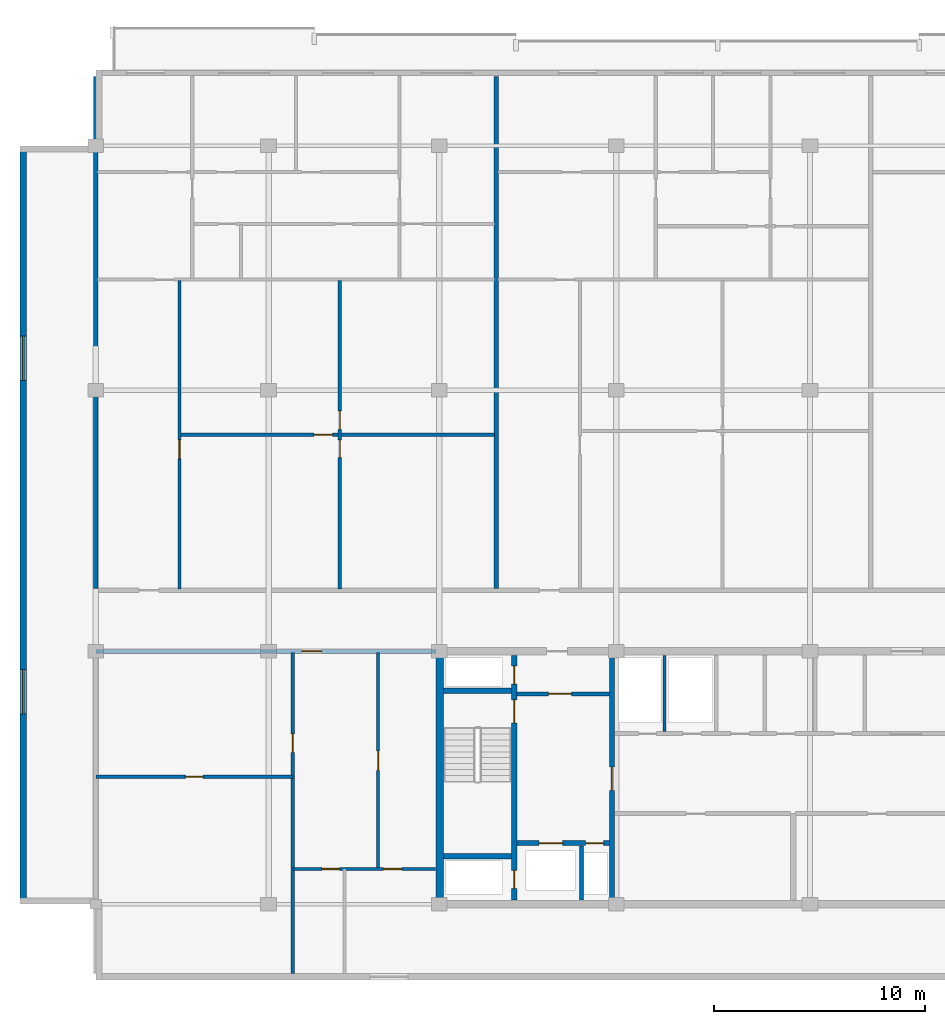
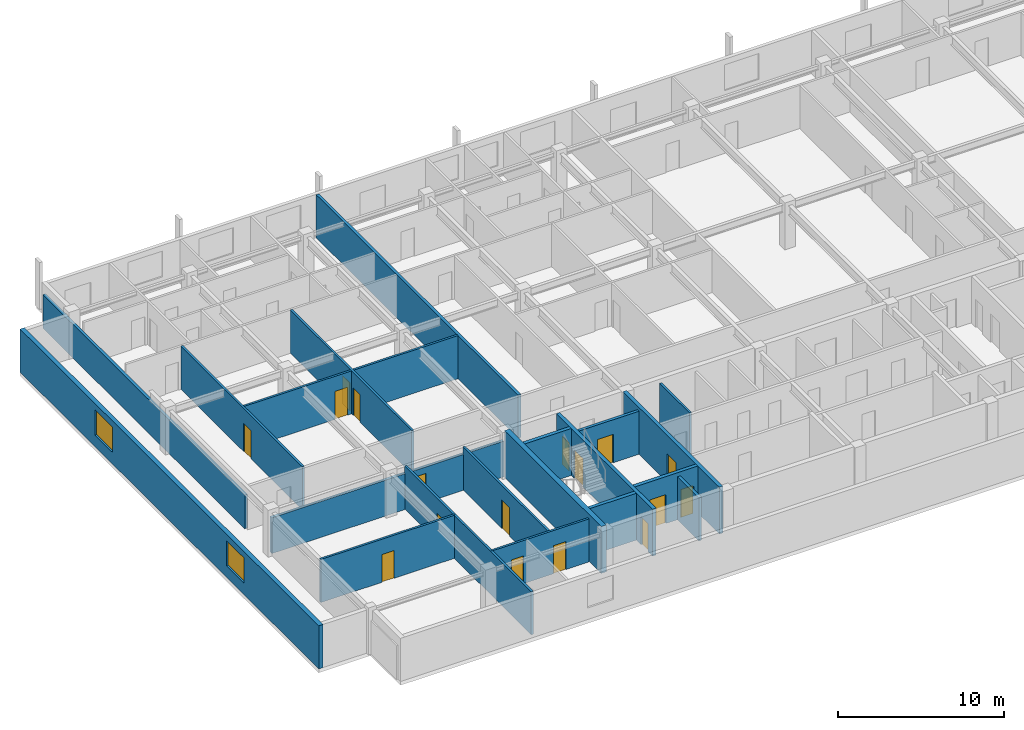
# One storey, part 3 of 11: 20 walls, 17 doors, 2 windows, 19 openings.
"""IFC4 building model written with IfcOpenShell, lengths in metres."""

from ifc_helpers import new_model, si_unit, direction, frame, frame_2d, origin, place, context, subcontext, project, spatial, rectangle, extrude, material, layer, layer_set, type_object, element, fill, save


model = new_model("IFC4")

# Units and contexts
model_context = context("Model", 3, precision=1e-05, world=origin(), true_north=direction((0.0, 1.0)))
body_context = subcontext(model_context, "Body", "Model", "MODEL_VIEW")
ifc_project = project(units=[si_unit("LENGTHUNIT", "METRE"), si_unit("AREAUNIT", "SQUARE_METRE"), si_unit("VOLUMEUNIT", "CUBIC_METRE"), si_unit("PLANEANGLEUNIT", "RADIAN"), si_unit("MASSUNIT", "GRAM", prefix="KILO")], contexts=[model_context])

# Site, building, storey
site_placement = place(None, origin())
site = spatial("IfcSite", under=ifc_project, at=site_placement, CompositionType="ELEMENT")
building_placement = place(site_placement, origin())
building = spatial("IfcBuilding", under=site, at=building_placement, Name="Korimba Cascade Residences", CompositionType="ELEMENT")
storey_placement = place(building_placement, frame((0.0, 0.0, 252.800048828125)))
storey = spatial("IfcBuildingStorey", under=building, at=storey_placement, Name="L73", CompositionType="ELEMENT", Elevation=252.800048828125)

# Wall, openings, windows
ifc_material_1 = material(Name="Precast concrete C40/50", Category="concrete")
ifc_layer_1 = layer(ifc_material_1, 0.300048828125)
ifc_layer_set_1 = layer_set([ifc_layer_1], Name="Precast concrete C40/50")
wall_type_1 = type_object("IfcWallType", Name="EW-STONE-300", PredefinedType="STANDARD", material=ifc_layer_set_1)
wall_1_placement = place(storey_placement, frame((56.35009765625, 91.199951171875, 0.0), z_axis=(0.0, 0.0, 1.0), x_axis=(0.0, -1.0, 0.0)))
wall_1 = element("IfcWall", 1, at=wall_1_placement, inside=storey, type_object=wall_type_1, Name="L73 T1 Perimeter Stone Wall E09", PredefinedType="STANDARD", context=body_context, shape_type="SweptSolid", body=[
    extrude(rectangle(XDim=36.0, YDim=0.300048828125, at=frame_2d((18.0, 0.0))), origin(), (0.0, 0.0, 1.0), 3.169921875),
])
opening_1_placement = place(wall_1_placement, frame((9.030029296875, 0.0, 0.85009765625)))
opening_1 = element("IfcOpeningElement", 2, at=opening_1_placement, cuts=wall_1, Name="Opening W-03", PredefinedType="OPENING", context=body_context, shape_type="SweptSolid", body=[
    extrude(rectangle(XDim=2.10009765625, YDim=1.85009765625, at=frame_2d((1.050048828125, 0.925048828125))), frame((0.0, 0.16015625, 0.0), z_axis=(0.0, -1.0, 0.0), x_axis=(1.0, 0.0, 0.0)), (0.0, 0.0, 1.0), 0.320068359375),
])
opening_2_placement = place(wall_1_placement, frame((24.8701171875, 0.0, 0.85009765625)))
opening_2 = element("IfcOpeningElement", 3, at=opening_2_placement, cuts=wall_1, Name="Opening W-03", PredefinedType="OPENING", context=body_context, shape_type="SweptSolid", body=[
    extrude(rectangle(XDim=2.10009765625, YDim=1.85009765625, at=frame_2d((1.050048828125, 0.925048828125))), frame((0.0, 0.16015625, 0.0), z_axis=(0.0, -1.0, 0.0), x_axis=(1.0, 0.0, 0.0)), (0.0, 0.0, 1.0), 0.320068359375),
])
ifc_material_2 = material(Name="Double-Glazed Aluminium Window", Category="aluminium")
window_type = type_object("IfcWindowType", Name="WIN-CRN-2100", PartitioningType="DOUBLE_PANEL_HORIZONTAL", PredefinedType="WINDOW", material=ifc_material_2)
window_1_placement = place(opening_1_placement, origin())
window_1 = element("IfcWindow", 4, at=window_1_placement, inside=storey, type_object=window_type, Name="L73 T1 End View Window 9.1", OverallHeight=1.85009765625, OverallWidth=2.10009765625, PartitioningType="DOUBLE_PANEL_HORIZONTAL", PredefinedType="WINDOW", context=body_context, shape_type="SweptSolid", body=[
    extrude(rectangle(XDim=2.10009765625, YDim=1.85009765625, at=frame_2d((1.050048828125, 0.925048828125))), frame((0.0, 0.030029296875, 0.0), z_axis=(0.0, -1.0, 0.0), x_axis=(1.0, 0.0, 0.0)), (0.0, 0.0, 1.0), 0.06005859375),
])
fill(opening_1, window_1)
window_2_placement = place(opening_2_placement, origin())
window_2 = element("IfcWindow", 5, at=window_2_placement, inside=storey, type_object=window_type, Name="L73 T1 End View Window 9.2", OverallHeight=1.85009765625, OverallWidth=2.10009765625, PartitioningType="DOUBLE_PANEL_HORIZONTAL", PredefinedType="WINDOW", context=body_context, shape_type="SweptSolid", body=[
    extrude(rectangle(XDim=2.10009765625, YDim=1.85009765625, at=frame_2d((1.050048828125, 0.925048828125))), frame((0.0, 0.030029296875, 0.0), z_axis=(0.0, -1.0, 0.0), x_axis=(1.0, 0.0, 0.0)), (0.0, 0.0, 1.0), 0.06005859375),
])
fill(opening_2, window_2)

# Wall
ifc_material_3 = material(Name="Concrete C65/80", Category="concrete")
ifc_layer_2 = layer(ifc_material_3, 0.35009765625)
ifc_layer_set_2 = layer_set([ifc_layer_2], Name="Concrete C65/80")
wall_type_2 = type_object("IfcWallType", Name="WAL-CORE-350", PredefinedType="SHEAR", material=ifc_layer_set_2)
wall_2_placement = place(storey_placement, frame((76.125, 55.375, 0.0), z_axis=(0.0, 0.0, 1.0), x_axis=(0.0, 1.0, 0.0)))
element("IfcWall", 6, at=wall_2_placement, inside=storey, type_object=wall_type_2, Name="L73 Core Shear Wall CW-L73-T1-W", PredefinedType="SHEAR", context=body_context, shape_type="SweptSolid", body=[
    extrude(rectangle(XDim=11.64990234375, YDim=0.35009765625, at=frame_2d((5.824951171875, 0.0))), origin(), (0.0, 0.0, 1.0), 3.449951171875),
])

# Wall, opening, door
ifc_layer_3 = layer(ifc_material_1, 0.199951171875)
ifc_layer_set_3 = layer_set([ifc_layer_3], Name="Precast concrete C40/50")
wall_type_3 = type_object("IfcWallType", Name="WAL-IT-200", PredefinedType="PARTITIONING", material=ifc_layer_set_3)
wall_3_placement = place(storey_placement, frame((59.800048828125, 67.199951171875, 0.0), z_axis=(0.0, 0.0, 1.0), x_axis=(1.0, 0.0, 0.0)))
wall_3 = element("IfcWall", 7, at=wall_3_placement, inside=storey, type_object=wall_type_3, Name="L73 Partition Wall WAL-L73-T1-FW-N", PredefinedType="PARTITIONING", context=body_context, shape_type="SweptSolid", body=[
    extrude(rectangle(XDim=16.14990234375, YDim=0.199951171875, at=frame_2d((8.074951171875, 0.0))), origin(), (0.0, 0.0, 1.0), 2.63330078125),
])
opening_3_placement = place(wall_3_placement, frame((9.7724609375, 0.0, 0.0)))
opening_3 = element("IfcOpeningElement", 8, at=opening_3_placement, cuts=wall_3, Name="Opening D-UN1", PredefinedType="OPENING", context=body_context, shape_type="SweptSolid", body=[
    extrude(rectangle(XDim=0.949951171875, YDim=2.14990234375, at=frame_2d((0.47509765625, 1.074951171875))), frame((0.0, 0.10986328125, 0.0), z_axis=(0.0, -1.0, 0.0), x_axis=(1.0, 0.0, 0.0)), (0.0, 0.0, 1.0), 0.219970703125),
])
ifc_material_4 = material(Name="Fire-Rated Hardwood Apartment Entrance Door", Category="wood")
door_type_1 = type_object("IfcDoorType", Name="DR-FD60-950", OperationType="NOTDEFINED", PredefinedType="DOOR", material=ifc_material_4)
door_1_placement = place(opening_3_placement, origin())
door_1 = element("IfcDoor", 9, at=door_1_placement, inside=storey, type_object=door_type_1, Name="L73-T1-FW Entrance Door", OperationType="SINGLE_SWING_RIGHT", OverallHeight=2.14990234375, OverallWidth=0.949951171875, PredefinedType="DOOR", context=body_context, shape_type="SweptSolid", body=[
    extrude(rectangle(XDim=0.949951171875, YDim=2.14990234375, at=frame_2d((0.47509765625, 1.074951171875))), frame((0.0, 0.02490234375, 0.0), z_axis=(0.0, -1.0, 0.0), x_axis=(1.0, 0.0, 0.0)), (0.0, 0.0, 1.0), 0.050048828125),
])
fill(opening_3, door_1)

# Walls
wall_4_placement = place(storey_placement, frame((59.800048828125, 70.179931640625, 0.0), z_axis=(0.0, 0.0, 1.0), x_axis=(0.0, 1.0, 0.0)))
element("IfcWall", 10, at=wall_4_placement, inside=storey, type_object=wall_type_3, Name="L73 Partition Wall WAL-L73-T1-BNDWL", PredefinedType="PARTITIONING", context=body_context, shape_type="SweptSolid", body=[
    extrude(rectangle(XDim=24.320068359375, YDim=0.199951171875, at=frame_2d((12.16015625, 0.0))), origin(), (0.0, 0.0, 1.0), 2.47705078125),
])
wall_5_placement = place(storey_placement, frame((78.80908203125, 70.179931640625, 0.0), z_axis=(0.0, 0.0, 1.0), x_axis=(0.0, 1.0, 0.0)))
element("IfcWall", 11, at=wall_5_placement, inside=storey, type_object=wall_type_3, Name="L73 Partition Wall WAL-L73-T1-DEM-1", PredefinedType="PARTITIONING", context=body_context, shape_type="SweptSolid", body=[
    extrude(rectangle(XDim=24.320068359375, YDim=0.199951171875, at=frame_2d((12.16015625, 0.0))), origin(), (0.0, 0.0, 1.0), 3.169921875),
])
ifc_material_5 = material(Name="Insulated Acoustic Stud Partition", Category="gypsum")
ifc_layer_4 = layer(ifc_material_5, 0.14990234375)
ifc_layer_set_4 = layer_set([ifc_layer_4], Name="Insulated Acoustic Stud Partition")
wall_type_4 = type_object("IfcWallType", Name="WAL-PART-150", PredefinedType="PARTITIONING", material=ifc_layer_set_4)
wall_6_placement = place(storey_placement, frame((86.800048828125, 63.39990234375, 0.0), z_axis=(0.0, 0.0, 1.0), x_axis=(0.0, 1.0, 0.0)))
element("IfcWall", 12, at=wall_6_placement, inside=storey, type_object=wall_type_4, Name="L73 Partition Wall CW-L73-T1-ERDIV", PredefinedType="PARTITIONING", context=body_context, shape_type="SweptSolid", body=[
    extrude(rectangle(XDim=3.60009765625, YDim=0.14990234375, at=frame_2d((1.800048828125, 0.0))), origin(), (0.0, 0.0, 1.0), 3.169921875),
])

# Wall, opening, door
wall_7_placement = place(storey_placement, frame((59.800048828125, 61.25, 0.0), z_axis=(0.0, 0.0, 1.0), x_axis=(1.0, 0.0, 0.0)))
wall_7 = element("IfcWall", 13, at=wall_7_placement, inside=storey, type_object=wall_type_4, Name="L73 Partition Wall WAL-L73-T1-FW-STH", PredefinedType="PARTITIONING", context=body_context, shape_type="SweptSolid", body=[
    extrude(rectangle(XDim=9.349853515625, YDim=0.14990234375, at=frame_2d((4.6748046875, 0.0))), origin(), (0.0, 0.0, 1.0), 3.169921875),
])
opening_4_placement = place(wall_7_placement, frame((4.2548828125, 0.0, 0.0)))
opening_4 = element("IfcOpeningElement", 14, at=opening_4_placement, cuts=wall_7, Name="Opening D-BT1", PredefinedType="OPENING", context=body_context, shape_type="SweptSolid", body=[
    extrude(rectangle(XDim=0.840087890625, YDim=2.0400390625, at=frame_2d((0.419921875, 1.02001953125))), frame((0.0, 0.0849609375, 0.0), z_axis=(0.0, -1.0, 0.0), x_axis=(1.0, 0.0, 0.0)), (0.0, 0.0, 1.0), 0.169921875),
])
ifc_material_6 = material(Name="Moisture-Resistant Bathroom Timber Door", Category="wood")
door_type_2 = type_object("IfcDoorType", Name="DR-INT-850", OperationType="NOTDEFINED", PredefinedType="DOOR", material=ifc_material_6)
door_2_placement = place(opening_4_placement, origin())
door_2 = element("IfcDoor", 15, at=door_2_placement, inside=storey, type_object=door_type_2, Name="L73-T1-FW Dressing Store Door", OperationType="SINGLE_SWING_LEFT", OverallHeight=2.0400390625, OverallWidth=0.840087890625, PredefinedType="DOOR", context=body_context, shape_type="SweptSolid", body=[
    extrude(rectangle(XDim=0.840087890625, YDim=2.0400390625, at=frame_2d((0.419921875, 1.02001953125))), frame((0.0, 0.02490234375, 0.0), z_axis=(0.0, -1.0, 0.0), x_axis=(1.0, 0.0, 0.0)), (0.0, 0.0, 1.0), 0.050048828125),
])
fill(opening_4, door_2)

wall_8_placement = place(storey_placement, frame((69.14990234375, 51.89990234375, 0.0), z_axis=(0.0, 0.0, 1.0), x_axis=(0.0, 1.0, 0.0)))
wall_8 = element("IfcWall", 16, at=wall_8_placement, inside=storey, type_object=wall_type_4, Name="L73 Partition Wall WAL-L73-T1-FW-STV", PredefinedType="PARTITIONING", context=body_context, shape_type="SweptSolid", body=[
    extrude(rectangle(XDim=15.25, YDim=0.14990234375, at=frame_2d((7.625, 0.0))), origin(), (0.0, 0.0, 1.0), 3.169921875),
])
opening_5_placement = place(wall_8_placement, frame((10.5, 0.0, 0.0)))
opening_5 = element("IfcOpeningElement", 17, at=opening_5_placement, cuts=wall_8, Name="Opening D-IN2", PredefinedType="OPENING", context=body_context, shape_type="SweptSolid", body=[
    extrude(rectangle(XDim=0.8798828125, YDim=2.06005859375, at=frame_2d((0.43994140625, 1.030029296875))), frame((0.0, 0.0849609375, 0.0), z_axis=(0.0, -1.0, 0.0), x_axis=(1.0, 0.0, 0.0)), (0.0, 0.0, 1.0), 0.169921875),
])
ifc_material_7 = material(Name="Acoustic Timber Bedroom Door", Category="wood")
door_type_3 = type_object("IfcDoorType", Name="DR-INT-880", OperationType="NOTDEFINED", PredefinedType="DOOR", material=ifc_material_7)
door_3_placement = place(opening_5_placement, origin())
door_3 = element("IfcDoor", 18, at=door_3_placement, inside=storey, type_object=door_type_3, Name="L73-T1-FW Study Door", OperationType="SINGLE_SWING_RIGHT", OverallHeight=2.06005859375, OverallWidth=0.8798828125, PredefinedType="DOOR", context=body_context, shape_type="SweptSolid", body=[
    extrude(rectangle(XDim=0.8798828125, YDim=2.06005859375, at=frame_2d((0.43994140625, 1.030029296875))), frame((0.0, 0.02490234375, 0.0), z_axis=(0.0, -1.0, 0.0), x_axis=(1.0, 0.0, 0.0)), (0.0, 0.0, 1.0), 0.050048828125),
])
fill(opening_5, door_3)

wall_9_placement = place(storey_placement, frame((73.199951171875, 56.8701171875, 0.0), z_axis=(0.0, 0.0, 1.0), x_axis=(0.0, 1.0, 0.0)))
wall_9 = element("IfcWall", 19, at=wall_9_placement, inside=storey, type_object=wall_type_4, Name="L73 Partition Wall WAL-L73-T1-FW-VN", PredefinedType="PARTITIONING", context=body_context, shape_type="SweptSolid", body=[
    extrude(rectangle(XDim=10.27978515625, YDim=0.14990234375, at=frame_2d((5.139892578125, 0.0))), origin(), (0.0, 0.0, 1.0), 3.169921875),
])
opening_6_placement = place(wall_9_placement, frame((4.679931640625, 0.0, 0.0)))
opening_6 = element("IfcOpeningElement", 20, at=opening_6_placement, cuts=wall_9, Name="Opening D-IN1", PredefinedType="OPENING", context=body_context, shape_type="SweptSolid", body=[
    extrude(rectangle(XDim=0.919921875, YDim=2.080078125, at=frame_2d((0.4599609375, 1.0400390625))), frame((0.0, 0.0849609375, 0.0), z_axis=(0.0, -1.0, 0.0), x_axis=(1.0, 0.0, 0.0)), (0.0, 0.0, 1.0), 0.169921875),
])
ifc_material_8 = material(Name="Acoustic Timber Living Door", Category="wood")
door_type_4 = type_object("IfcDoorType", Name="DR-INT-920", OperationType="NOTDEFINED", PredefinedType="DOOR", material=ifc_material_8)
door_4_placement = place(opening_6_placement, origin())
door_4 = element("IfcDoor", 21, at=door_4_placement, inside=storey, type_object=door_type_4, Name="L73-T1-FW Living Door", OperationType="SINGLE_SWING_LEFT", OverallHeight=2.080078125, OverallWidth=0.919921875, PredefinedType="DOOR", context=body_context, shape_type="SweptSolid", body=[
    extrude(rectangle(XDim=0.919921875, YDim=2.080078125, at=frame_2d((0.4599609375, 1.0400390625))), frame((0.0, 0.02490234375, 0.0), z_axis=(0.0, -1.0, 0.0), x_axis=(1.0, 0.0, 0.0)), (0.0, 0.0, 1.0), 0.050048828125),
])
fill(opening_6, door_4)

# Wall, openings, doors
wall_10_placement = place(storey_placement, frame((69.169921875, 56.8701171875, 0.0), z_axis=(0.0, 0.0, 1.0), x_axis=(1.0, 0.0, 0.0)))
wall_10 = element("IfcWall", 22, at=wall_10_placement, inside=storey, type_object=wall_type_4, Name="L73 Partition Wall WAL-L73-T1-FW-H", PredefinedType="PARTITIONING", context=body_context, shape_type="SweptSolid", body=[
    extrude(rectangle(XDim=6.760009765625, YDim=0.14990234375, at=frame_2d((3.3798828125, 0.0))), origin(), (0.0, 0.0, 1.0), 3.169921875),
])
opening_7_placement = place(wall_10_placement, frame((1.3623046875, 0.0, 0.0)))
opening_7 = element("IfcOpeningElement", 23, at=opening_7_placement, cuts=wall_10, Name="Opening D-BT1", PredefinedType="OPENING", context=body_context, shape_type="SweptSolid", body=[
    extrude(rectangle(XDim=0.840087890625, YDim=2.0400390625, at=frame_2d((0.419921875, 1.02001953125))), frame((0.0, 0.0849609375, 0.0), z_axis=(0.0, -1.0, 0.0), x_axis=(1.0, 0.0, 0.0)), (0.0, 0.0, 1.0), 0.169921875),
])
opening_8_placement = place(wall_10_placement, frame((4.276611328125, 0.0, 0.0)))
opening_8 = element("IfcOpeningElement", 24, at=opening_8_placement, cuts=wall_10, Name="Opening D-IN2", PredefinedType="OPENING", context=body_context, shape_type="SweptSolid", body=[
    extrude(rectangle(XDim=0.8798828125, YDim=2.06005859375, at=frame_2d((0.43994140625, 1.030029296875))), frame((0.0, 0.0849609375, 0.0), z_axis=(0.0, -1.0, 0.0), x_axis=(1.0, 0.0, 0.0)), (0.0, 0.0, 1.0), 0.169921875),
])
door_5_placement = place(opening_7_placement, origin())
door_5 = element("IfcDoor", 25, at=door_5_placement, inside=storey, type_object=door_type_2, Name="L73-T1-FW Bathroom Door", OperationType="SINGLE_SWING_RIGHT", OverallHeight=2.0400390625, OverallWidth=0.840087890625, PredefinedType="DOOR", context=body_context, shape_type="SweptSolid", body=[
    extrude(rectangle(XDim=0.840087890625, YDim=2.0400390625, at=frame_2d((0.419921875, 1.02001953125))), frame((0.0, 0.02490234375, 0.0), z_axis=(0.0, -1.0, 0.0), x_axis=(1.0, 0.0, 0.0)), (0.0, 0.0, 1.0), 0.050048828125),
])
fill(opening_7, door_5)
door_6_placement = place(opening_8_placement, origin())
door_6 = element("IfcDoor", 26, at=door_6_placement, inside=storey, type_object=door_type_3, Name="L73-T1-FW Bedroom Door", OperationType="SINGLE_SWING_LEFT", OverallHeight=2.06005859375, OverallWidth=0.8798828125, PredefinedType="DOOR", context=body_context, shape_type="SweptSolid", body=[
    extrude(rectangle(XDim=0.8798828125, YDim=2.06005859375, at=frame_2d((0.43994140625, 1.030029296875))), frame((0.0, 0.02490234375, 0.0), z_axis=(0.0, -1.0, 0.0), x_axis=(1.0, 0.0, 0.0)), (0.0, 0.0, 1.0), 0.050048828125),
])
fill(opening_8, door_6)

wall_11_placement = place(storey_placement, frame((71.37939453125, 70.159912109375, 0.0), z_axis=(0.0, 0.0, 1.0), x_axis=(0.0, 1.0, 0.0)))
wall_11 = element("IfcWall", 27, at=wall_11_placement, inside=storey, type_object=wall_type_4, Name="L73 Partition Wall WAL-L73-T1-U01-FMV", PredefinedType="PARTITIONING", context=body_context, shape_type="SweptSolid", body=[
    extrude(rectangle(XDim=14.650146484375, YDim=0.14990234375, at=frame_2d((7.3251953125, 0.0))), origin(), (0.0, 0.0, 1.0), 3.169921875),
])
opening_9_placement = place(wall_11_placement, frame((6.235107421875, 0.0, 0.0)))
opening_9 = element("IfcOpeningElement", 28, at=opening_9_placement, cuts=wall_11, Name="Opening D-BT1", PredefinedType="OPENING", context=body_context, shape_type="SweptSolid", body=[
    extrude(rectangle(XDim=0.840087890625, YDim=2.0400390625, at=frame_2d((0.419921875, 1.02001953125))), frame((0.0, 0.0849609375, 0.0), z_axis=(0.0, -1.0, 0.0), x_axis=(1.0, 0.0, 0.0)), (0.0, 0.0, 1.0), 0.169921875),
])
opening_10_placement = place(wall_11_placement, frame((7.574951171875, 0.0, 0.0)))
opening_10 = element("IfcOpeningElement", 29, at=opening_10_placement, cuts=wall_11, Name="Opening D-IN2", PredefinedType="OPENING", context=body_context, shape_type="SweptSolid", body=[
    extrude(rectangle(XDim=0.8798828125, YDim=2.06005859375, at=frame_2d((0.43994140625, 1.030029296875))), frame((0.0, 0.0849609375, 0.0), z_axis=(0.0, -1.0, 0.0), x_axis=(1.0, 0.0, 0.0)), (0.0, 0.0, 1.0), 0.169921875),
])
door_7_placement = place(opening_9_placement, origin())
door_7 = element("IfcDoor", 30, at=door_7_placement, inside=storey, type_object=door_type_2, Name="L73-T1-U01 Wardrobe Door", OperationType="SINGLE_SWING_LEFT", OverallHeight=2.0400390625, OverallWidth=0.840087890625, PredefinedType="DOOR", context=body_context, shape_type="SweptSolid", body=[
    extrude(rectangle(XDim=0.840087890625, YDim=2.0400390625, at=frame_2d((0.419921875, 1.02001953125))), frame((0.0, 0.02490234375, 0.0), z_axis=(0.0, -1.0, 0.0), x_axis=(1.0, 0.0, 0.0)), (0.0, 0.0, 1.0), 0.050048828125),
])
fill(opening_9, door_7)
door_8_placement = place(opening_10_placement, origin())
door_8 = element("IfcDoor", 31, at=door_8_placement, inside=storey, type_object=door_type_3, Name="L73-T1-U01 Music Lounge Door", OperationType="SINGLE_SWING_RIGHT", OverallHeight=2.06005859375, OverallWidth=0.8798828125, PredefinedType="DOOR", context=body_context, shape_type="SweptSolid", body=[
    extrude(rectangle(XDim=0.8798828125, YDim=2.06005859375, at=frame_2d((0.43994140625, 1.030029296875))), frame((0.0, 0.02490234375, 0.0), z_axis=(0.0, -1.0, 0.0), x_axis=(1.0, 0.0, 0.0)), (0.0, 0.0, 1.0), 0.050048828125),
])
fill(opening_10, door_8)

# Wall, opening, door
wall_12_placement = place(storey_placement, frame((63.830078125, 77.485107421875, 0.0), z_axis=(0.0, 0.0, 1.0), x_axis=(1.0, 0.0, 0.0)))
wall_12 = element("IfcWall", 32, at=wall_12_placement, inside=storey, type_object=wall_type_4, Name="L73 Partition Wall WAL-L73-T1-U01-FMH", PredefinedType="PARTITIONING", context=body_context, shape_type="SweptSolid", body=[
    extrude(rectangle(XDim=14.89892578125, YDim=0.14990234375, at=frame_2d((7.449462890625, 0.0))), origin(), (0.0, 0.0, 1.0), 3.169921875),
])
opening_11_placement = place(wall_12_placement, frame((6.327392578125, 0.0, 0.0)))
opening_11 = element("IfcOpeningElement", 33, at=opening_11_placement, cuts=wall_12, Name="Opening D-IN2", PredefinedType="OPENING", context=body_context, shape_type="SweptSolid", body=[
    extrude(rectangle(XDim=0.8798828125, YDim=2.06005859375, at=frame_2d((0.43994140625, 1.030029296875))), frame((0.0, 0.0849609375, 0.0), z_axis=(0.0, -1.0, 0.0), x_axis=(1.0, 0.0, 0.0)), (0.0, 0.0, 1.0), 0.169921875),
])
door_9_placement = place(opening_11_placement, origin())
door_9 = element("IfcDoor", 34, at=door_9_placement, inside=storey, type_object=door_type_3, Name="L73-T1-U01 Library Salon Door", OperationType="SINGLE_SWING_LEFT", OverallHeight=2.06005859375, OverallWidth=0.8798828125, PredefinedType="DOOR", context=body_context, shape_type="SweptSolid", body=[
    extrude(rectangle(XDim=0.8798828125, YDim=2.06005859375, at=frame_2d((0.43994140625, 1.030029296875))), frame((0.0, 0.02490234375, 0.0), z_axis=(0.0, -1.0, 0.0), x_axis=(1.0, 0.0, 0.0)), (0.0, 0.0, 1.0), 0.050048828125),
])
fill(opening_11, door_9)

wall_13_placement = place(storey_placement, frame((63.77001953125, 70.159912109375, 0.0), z_axis=(0.0, 0.0, 1.0), x_axis=(0.0, 1.0, 0.0)))
wall_13 = element("IfcWall", 35, at=wall_13_placement, inside=storey, type_object=wall_type_4, Name="L73 Partition Wall WAL-L73-T1-U01-FV", PredefinedType="PARTITIONING", context=body_context, shape_type="SweptSolid", body=[
    extrude(rectangle(XDim=14.650146484375, YDim=0.14990234375, at=frame_2d((7.3251953125, 0.0))), origin(), (0.0, 0.0, 1.0), 3.169921875),
])
opening_12_placement = place(wall_13_placement, frame((6.195068359375, 0.0, 0.0)))
opening_12 = element("IfcOpeningElement", 36, at=opening_12_placement, cuts=wall_13, Name="Opening D-IN2", PredefinedType="OPENING", context=body_context, shape_type="SweptSolid", body=[
    extrude(rectangle(XDim=0.8798828125, YDim=2.06005859375, at=frame_2d((0.43994140625, 1.030029296875))), frame((0.0, 0.0849609375, 0.0), z_axis=(0.0, -1.0, 0.0), x_axis=(1.0, 0.0, 0.0)), (0.0, 0.0, 1.0), 0.169921875),
])
door_10_placement = place(opening_12_placement, origin())
door_10 = element("IfcDoor", 37, at=door_10_placement, inside=storey, type_object=door_type_3, Name="L73-T1-U01 Media Lounge Door", OperationType="SINGLE_SWING_RIGHT", OverallHeight=2.06005859375, OverallWidth=0.8798828125, PredefinedType="DOOR", context=body_context, shape_type="SweptSolid", body=[
    extrude(rectangle(XDim=0.8798828125, YDim=2.06005859375, at=frame_2d((0.43994140625, 1.030029296875))), frame((0.0, 0.02490234375, 0.0), z_axis=(0.0, -1.0, 0.0), x_axis=(1.0, 0.0, 0.0)), (0.0, 0.0, 1.0), 0.050048828125),
])
fill(opening_12, door_10)

# Wall
ifc_material_9 = material(Name="Concrete C40/50", Category="concrete")
ifc_layer_5 = layer(ifc_material_9, 0.199951171875)
ifc_layer_set_5 = layer_set([ifc_layer_5], Name="Concrete C40/50")
wall_type_5 = type_object("IfcWallType", Name="WAL-PART-200", PredefinedType="PARTITIONING", material=ifc_layer_set_5)
wall_14_placement = place(storey_placement, frame((82.85009765625, 55.39990234375, 0.0), z_axis=(0.0, 0.0, 1.0), x_axis=(0.0, 1.0, 0.0)))
element("IfcWall", 38, at=wall_14_placement, inside=storey, type_object=wall_type_5, Name="L73 Partition Wall CW-L73-T1-FFLDIV", PredefinedType="PARTITIONING", context=body_context, shape_type="SweptSolid", body=[
    extrude(rectangle(XDim=2.56005859375, YDim=0.199951171875, at=frame_2d((1.280029296875, 0.0))), origin(), (0.0, 0.0, 1.0), 3.169921875),
])

# Wall, opening, door
wall_15_placement = place(storey_placement, frame((79.7900390625, 65.179931640625, 0.0), z_axis=(0.0, 0.0, 1.0), x_axis=(1.0, 0.0, 0.0)))
wall_15 = element("IfcWall", 39, at=wall_15_placement, inside=storey, type_object=wall_type_5, Name="L73 Partition Wall CW-L73-T1-FFLN", PredefinedType="PARTITIONING", context=body_context, shape_type="SweptSolid", body=[
    extrude(rectangle(XDim=4.389892578125, YDim=0.199951171875, at=frame_2d((2.19482421875, 0.0))), origin(), (0.0, 0.0, 1.0), 3.169921875),
])
opening_13_placement = place(wall_15_placement, frame((1.5, 0.0, 0.0)))
opening_13 = element("IfcOpeningElement", 40, at=opening_13_placement, cuts=wall_15, Name="Opening D-FD1", PredefinedType="OPENING", context=body_context, shape_type="SweptSolid", body=[
    extrude(rectangle(XDim=1.10009765625, YDim=2.10009765625, at=frame_2d((0.550048828125, 1.050048828125))), frame((0.0, 0.10986328125, 0.0), z_axis=(0.0, -1.0, 0.0), x_axis=(1.0, 0.0, 0.0)), (0.0, 0.0, 1.0), 0.219970703125),
])
ifc_material_10 = material(Name="Fire-Rated Steel Core Door", Category="steel")
door_type_5 = type_object("IfcDoorType", Name="DR-FD120-1100", OperationType="NOTDEFINED", PredefinedType="DOOR", material=ifc_material_10)
door_11_placement = place(opening_13_placement, origin())
door_11 = element("IfcDoor", 41, at=door_11_placement, inside=storey, type_object=door_type_5, Name="L73 West Firefighting Lobby Door", OperationType="SINGLE_SWING_RIGHT", OverallHeight=2.10009765625, OverallWidth=1.10009765625, PredefinedType="DOOR", context=body_context, shape_type="SweptSolid", body=[
    extrude(rectangle(XDim=1.10009765625, YDim=2.10009765625, at=frame_2d((0.550048828125, 1.050048828125))), frame((0.0, 0.02490234375, 0.0), z_axis=(0.0, -1.0, 0.0), x_axis=(1.0, 0.0, 0.0)), (0.0, 0.0, 1.0), 0.050048828125),
])
fill(opening_13, door_11)

# Wall, openings, doors
ifc_material_11 = material(Name="Concrete C50/60", Category="concrete")
ifc_layer_6 = layer(ifc_material_11, 0.25)
ifc_layer_set_6 = layer_set([ifc_layer_6], Name="Concrete C50/60")
wall_type_6 = type_object("IfcWallType", Name="WAL-SHAFT-250", PredefinedType="SHEAR", material=ifc_layer_set_6)
wall_16_placement = place(storey_placement, frame((79.6650390625, 55.39990234375, 0.0), z_axis=(0.0, 0.0, 1.0), x_axis=(0.0, 1.0, 0.0)))
wall_16 = element("IfcWall", 42, at=wall_16_placement, inside=storey, type_object=wall_type_6, Name="L73 Core Shear Wall CW-L73-T1-STW1E", PredefinedType="SHEAR", context=body_context, shape_type="SweptSolid", body=[
    extrude(rectangle(XDim=11.60009765625, YDim=0.25, at=frame_2d((5.800048828125, 0.0))), origin(), (0.0, 0.0, 1.0), 3.449951171875),
])
opening_14_placement = place(wall_16_placement, frame((0.550048828125, 0.0, 0.0)))
opening_14 = element("IfcOpeningElement", 43, at=opening_14_placement, cuts=wall_16, Name="Opening D-RS1", PredefinedType="OPENING", context=body_context, shape_type="SweptSolid", body=[
    extrude(rectangle(XDim=0.85009765625, YDim=2.050048828125, at=frame_2d((0.425048828125, 1.02490234375))), frame((0.0, 0.135009765625, 0.0), z_axis=(0.0, -1.0, 0.0), x_axis=(1.0, 0.0, 0.0)), (0.0, 0.0, 1.0), 0.27001953125),
])
opening_15_placement = place(wall_16_placement, frame((8.39990234375, 0.0, 0.0)))
opening_15 = element("IfcOpeningElement", 44, at=opening_15_placement, cuts=wall_16, Name="Opening D-FD1", PredefinedType="OPENING", context=body_context, shape_type="SweptSolid", body=[
    extrude(rectangle(XDim=1.10009765625, YDim=2.10009765625, at=frame_2d((0.550048828125, 1.050048828125))), frame((0.0, 0.135009765625, 0.0), z_axis=(0.0, -1.0, 0.0), x_axis=(1.0, 0.0, 0.0)), (0.0, 0.0, 1.0), 0.27001953125),
])
opening_16_placement = place(wall_16_placement, frame((10.25, 0.0, 0.0)))
opening_16 = element("IfcOpeningElement", 45, at=opening_16_placement, cuts=wall_16, Name="Opening D-RS1", PredefinedType="OPENING", context=body_context, shape_type="SweptSolid", body=[
    extrude(rectangle(XDim=0.85009765625, YDim=2.050048828125, at=frame_2d((0.425048828125, 1.02490234375))), frame((0.0, 0.135009765625, 0.0), z_axis=(0.0, -1.0, 0.0), x_axis=(1.0, 0.0, 0.0)), (0.0, 0.0, 1.0), 0.27001953125),
])
door_12_placement = place(opening_15_placement, origin())
door_12 = element("IfcDoor", 46, at=door_12_placement, inside=storey, type_object=door_type_5, Name="L73 Fire Stair ST-W1 Door", OperationType="SINGLE_SWING_LEFT", OverallHeight=2.10009765625, OverallWidth=1.10009765625, PredefinedType="DOOR", context=body_context, shape_type="SweptSolid", body=[
    extrude(rectangle(XDim=1.10009765625, YDim=2.10009765625, at=frame_2d((0.550048828125, 1.050048828125))), frame((0.0, 0.02490234375, 0.0), z_axis=(0.0, -1.0, 0.0), x_axis=(1.0, 0.0, 0.0)), (0.0, 0.0, 1.0), 0.050048828125),
])
fill(opening_15, door_12)
ifc_material_12 = material(Name="Fire-Rated Steel Riser Access Door", Category="steel")
door_type_6 = type_object("IfcDoorType", Name="DR-FD60-850", OperationType="NOTDEFINED", PredefinedType="DOOR", material=ifc_material_12)
door_13_placement = place(opening_14_placement, origin())
door_13 = element("IfcDoor", 47, at=door_13_placement, inside=storey, type_object=door_type_6, Name="L73 Smoke Riser Access Door", OperationType="SINGLE_SWING_RIGHT", OverallHeight=2.050048828125, OverallWidth=0.85009765625, PredefinedType="DOOR", context=body_context, shape_type="SweptSolid", body=[
    extrude(rectangle(XDim=0.85009765625, YDim=2.050048828125, at=frame_2d((0.425048828125, 1.02490234375))), frame((0.0, 0.02490234375, 0.0), z_axis=(0.0, -1.0, 0.0), x_axis=(1.0, 0.0, 0.0)), (0.0, 0.0, 1.0), 0.050048828125),
])
fill(opening_14, door_13)
door_14_placement = place(opening_16_placement, origin())
door_14 = element("IfcDoor", 48, at=door_14_placement, inside=storey, type_object=door_type_6, Name="L73 Hydrant Riser Access Door", OperationType="SINGLE_SWING_RIGHT", OverallHeight=2.050048828125, OverallWidth=0.85009765625, PredefinedType="DOOR", context=body_context, shape_type="SweptSolid", body=[
    extrude(rectangle(XDim=0.85009765625, YDim=2.050048828125, at=frame_2d((0.425048828125, 1.02490234375))), frame((0.0, 0.02490234375, 0.0), z_axis=(0.0, -1.0, 0.0), x_axis=(1.0, 0.0, 0.0)), (0.0, 0.0, 1.0), 0.050048828125),
])
fill(opening_16, door_14)

# Walls
for number, where, z_axis, x_axis, name in (
    (49, (76.300048828125, 57.47509765625, 0.0), (0.0, 0.0, 1.0), (1.0, 0.0, 0.0), "L73 Core Shear Wall CW-L73-T1-STW1S"),
    (50, (76.300048828125, 65.324951171875, 0.0), (0.0, 0.0, 1.0), (1.0, 0.0, 0.0), "L73 Core Shear Wall CW-L73-T1-STW1N"),
):
    element("IfcWall", number, at=place(storey_placement, frame(where, z_axis=z_axis, x_axis=x_axis)), inside=storey, type_object=wall_type_6, Name=name, PredefinedType="SHEAR", context=body_context, shape_type="SweptSolid", body=[
        extrude(rectangle(XDim=3.239990234375, YDim=0.25, at=frame_2d((1.6201171875, 0.0))), origin(), (0.0, 0.0, 1.0), 3.449951171875),
    ])

# Wall, openings, doors
wall_17_placement = place(storey_placement, frame((79.7900390625, 58.10009765625, 0.0), z_axis=(0.0, 0.0, 1.0), x_axis=(1.0, 0.0, 0.0)))
wall_17 = element("IfcWall", 51, at=wall_17_placement, inside=storey, type_object=wall_type_6, Name="L73 Core Shear Wall CW-L73-T1-FFLS", PredefinedType="SHEAR", context=body_context, shape_type="SweptSolid", body=[
    extrude(rectangle(XDim=4.389892578125, YDim=0.25, at=frame_2d((2.19482421875, 0.0))), origin(), (0.0, 0.0, 1.0), 3.449951171875),
])
opening_17_placement = place(wall_17_placement, frame((1.050048828125, 0.0, 0.0)))
opening_17 = element("IfcOpeningElement", 52, at=opening_17_placement, cuts=wall_17, Name="Opening LD-01", PredefinedType="OPENING", context=body_context, shape_type="SweptSolid", body=[
    extrude(rectangle(XDim=1.1201171875, YDim=2.1201171875, at=frame_2d((0.56005859375, 1.06005859375))), frame((0.0, 0.135009765625, 0.0), z_axis=(0.0, -1.0, 0.0), x_axis=(1.0, 0.0, 0.0)), (0.0, 0.0, 1.0), 0.27001953125),
])
opening_18_placement = place(wall_17_placement, frame((3.260009765625, 0.0, 0.0)))
opening_18 = element("IfcOpeningElement", 53, at=opening_18_placement, cuts=wall_17, Name="Opening D-RS1", PredefinedType="OPENING", context=body_context, shape_type="SweptSolid", body=[
    extrude(rectangle(XDim=0.85009765625, YDim=2.050048828125, at=frame_2d((0.425048828125, 1.02490234375))), frame((0.0, 0.135009765625, 0.0), z_axis=(0.0, -1.0, 0.0), x_axis=(1.0, 0.0, 0.0)), (0.0, 0.0, 1.0), 0.27001953125),
])
door_15_placement = place(opening_18_placement, origin())
door_15 = element("IfcDoor", 54, at=door_15_placement, inside=storey, type_object=door_type_6, Name="L73 Pressurisation Riser Door", OperationType="SINGLE_SWING_LEFT", OverallHeight=2.050048828125, OverallWidth=0.85009765625, PredefinedType="DOOR", context=body_context, shape_type="SweptSolid", body=[
    extrude(rectangle(XDim=0.85009765625, YDim=2.050048828125, at=frame_2d((0.425048828125, 1.02490234375))), frame((0.0, 0.02490234375, 0.0), z_axis=(0.0, -1.0, 0.0), x_axis=(1.0, 0.0, 0.0)), (0.0, 0.0, 1.0), 0.050048828125),
])
fill(opening_18, door_15)
ifc_material_13 = material(Name="Stainless Steel Lift Landing Sliding Door", Category="steel")
door_type_7 = type_object("IfcDoorType", Name="DR-LIFT-1100", OperationType="NOTDEFINED", PredefinedType="DOOR", material=ifc_material_13)
door_16_placement = place(opening_17_placement, origin())
door_16 = element("IfcDoor", 55, at=door_16_placement, inside=storey, type_object=door_type_7, Name="L73 Firefighting Lift Landing Door FFL-W1", OperationType="SLIDING_TO_LEFT", OverallHeight=2.1201171875, OverallWidth=1.1201171875, PredefinedType="DOOR", context=body_context, shape_type="SweptSolid", body=[
    extrude(rectangle(XDim=1.1201171875, YDim=2.1201171875, at=frame_2d((0.56005859375, 1.06005859375))), frame((0.0, 0.02490234375, 0.0), z_axis=(0.0, -1.0, 0.0), x_axis=(1.0, 0.0, 0.0)), (0.0, 0.0, 1.0), 0.050048828125),
])
fill(opening_17, door_16)

# Wall, opening, door
wall_18_placement = place(storey_placement, frame((84.300048828125, 55.39990234375, 0.0), z_axis=(0.0, 0.0, 1.0), x_axis=(0.0, 1.0, 0.0)))
wall_18 = element("IfcWall", 56, at=wall_18_placement, inside=storey, type_object=wall_type_6, Name="L73 Core Shear Wall CW-L73-T1-FFLE", PredefinedType="SHEAR", context=body_context, shape_type="SweptSolid", body=[
    extrude(rectangle(XDim=11.60009765625, YDim=0.25, at=frame_2d((5.800048828125, 0.0))), origin(), (0.0, 0.0, 1.0), 3.449951171875),
])
opening_19_placement = place(wall_18_placement, frame((5.199951171875, 0.0, 0.0)))
opening_19 = element("IfcOpeningElement", 57, at=opening_19_placement, cuts=wall_18, Name="Opening D-FD1", PredefinedType="OPENING", context=body_context, shape_type="SweptSolid", body=[
    extrude(rectangle(XDim=1.10009765625, YDim=2.10009765625, at=frame_2d((0.550048828125, 1.050048828125))), frame((0.0, 0.135009765625, 0.0), z_axis=(0.0, -1.0, 0.0), x_axis=(1.0, 0.0, 0.0)), (0.0, 0.0, 1.0), 0.27001953125),
])
door_17_placement = place(opening_19_placement, origin())
door_17 = element("IfcDoor", 58, at=door_17_placement, inside=storey, type_object=door_type_5, Name="L73 Firefighting Lobby to Lift Lobby Door", OperationType="SINGLE_SWING_LEFT", OverallHeight=2.10009765625, OverallWidth=1.10009765625, PredefinedType="DOOR", context=body_context, shape_type="SweptSolid", body=[
    extrude(rectangle(XDim=1.10009765625, YDim=2.10009765625, at=frame_2d((0.550048828125, 1.050048828125))), frame((0.0, 0.02490234375, 0.0), z_axis=(0.0, -1.0, 0.0), x_axis=(1.0, 0.0, 0.0)), (0.0, 0.0, 1.0), 0.050048828125),
])
fill(opening_19, door_17)

save(model, "model.ifc")
